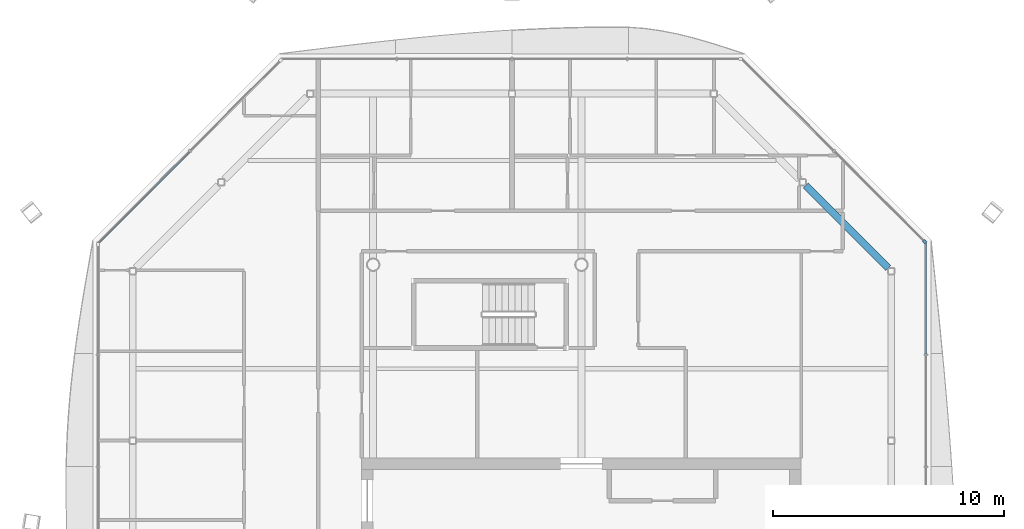
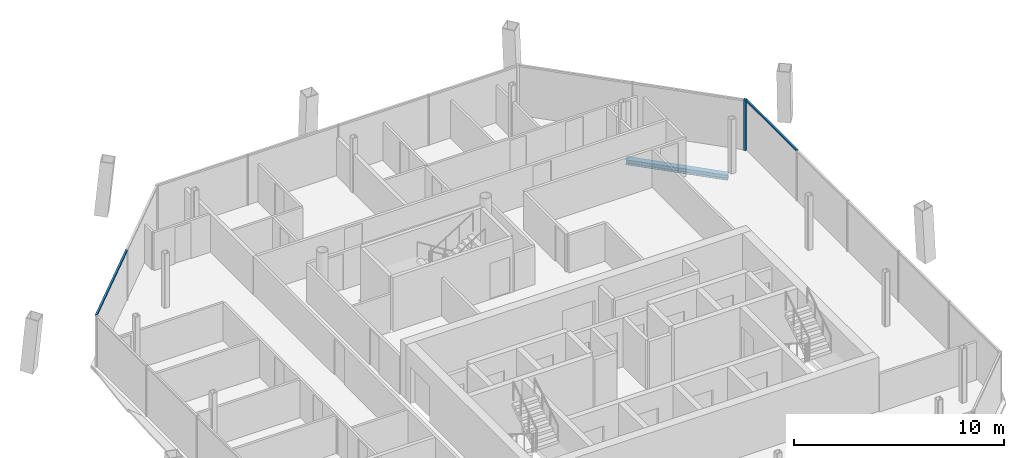
# One storey, part 7 of 15: 3 members, 1 beam, 3 elements without a shape of their own.
"""IFC4 building model written with IfcOpenShell, lengths in metres."""

from ifc_helpers import new_model, si_unit, direction, frame, origin, origin_2d, place, context, subcontext, project, spatial, rectangle, i_section, extrude, material, material_profile, profile_set, type_object, element, aggregate, save


model = new_model("IFC4")

# Units and contexts
model_context = context("Model", 3, precision=1e-05, world=origin(), true_north=direction((0.0, 1.0)))
body_context = subcontext(model_context, "Body", "Model", "MODEL_VIEW")
ifc_project = project(units=[si_unit("LENGTHUNIT", "METRE"), si_unit("AREAUNIT", "SQUARE_METRE"), si_unit("VOLUMEUNIT", "CUBIC_METRE"), si_unit("PLANEANGLEUNIT", "RADIAN"), si_unit("MASSUNIT", "GRAM", prefix="KILO")], contexts=[model_context])

# Site, building, storey
site_placement = place(None, origin())
site = spatial("IfcSite", under=ifc_project, at=site_placement, CompositionType="ELEMENT")
building_placement = place(site_placement, origin())
building = spatial("IfcBuilding", under=site, at=building_placement, Name="Tskaro Facet Tower", CompositionType="ELEMENT")
storey_placement = place(building_placement, frame((0.0, 0.0, 239.25)))
storey = spatial("IfcBuildingStorey", under=building, at=storey_placement, Name="L62", CompositionType="ELEMENT", Elevation=239.25)

# Curtain wall, member
ifc_material_1 = material(Name="Bronze anodised aluminium 6063-T6", Category="aluminium")
curtain_wall_type = type_object("IfcCurtainWallType", Name="Bronze residence curtain wall (FW3)", PredefinedType="NOTDEFINED", material=ifc_material_1)
curtain_wall_1_placement = place(storey_placement, origin())
curtain_wall_1 = element("IfcCurtainWall", 1, at=curtain_wall_1_placement, inside=storey, type_object=curtain_wall_type, Name="FW3 north-east facet L62", PredefinedType="NOTDEFINED")
ifc_material_profile_1 = material_profile(ifc_material_1, rectangle(XDim=0.139892578125, YDim=0.139892578125, at=origin_2d()), Name="Corner post 140x140")
ifc_profile_set_1 = profile_set([ifc_material_profile_1], Name="Bronze anodised aluminium 6063-T6")
member_type_1 = type_object("IfcMemberType", Name="FW3 bronze corner post 140x140", PredefinedType="MULLION", material=ifc_profile_set_1)
member_1_placement = place(storey_placement, frame((14.839599609375, 9.99755859375, 0.0), z_axis=(0.0, 0.0, 1.0), x_axis=(-0.707106781187, 0.707106781187, 0.0)))
member_1 = element("IfcMember", 2, at=member_1_placement, type_object=member_type_1, Name="FW3 north-east corner post", PredefinedType="MULLION", context=body_context, shape_type="SweptSolid", body=[
    extrude(rectangle(XDim=0.139892578125, YDim=0.139892578125, at=origin_2d()), origin(), (0.0, 0.0, 1.0), 2.949951171875),
])
aggregate(curtain_wall_1, [member_1])

curtain_wall_2_placement = place(storey_placement, origin())
curtain_wall_2 = element("IfcCurtainWall", 3, at=curtain_wall_2_placement, inside=storey, type_object=curtain_wall_type, Name="FW3 east facet L62", PredefinedType="NOTDEFINED")
ifc_material_profile_2 = material_profile(ifc_material_1, rectangle(XDim=0.10009765625, YDim=0.090087890625, at=origin_2d()), Name="Transom 100x90")
ifc_profile_set_2 = profile_set([ifc_material_profile_2], Name="Bronze anodised aluminium 6063-T6")
member_type_2 = type_object("IfcMemberType", Name="FW3 bronze transom 100x90", PredefinedType="USERDEFINED", material=ifc_profile_set_2)
member_2_placement = place(storey_placement, frame((14.888916015625, 5.1328125, 2.905029296875), z_axis=(0.0, 1.0, 0.0), x_axis=(-1.0, 0.0, 0.0)))
member_2 = element("IfcMember", 4, at=member_2_placement, type_object=member_type_2, Name="FW3 east transom 5.1", ObjectType="TRANSOM", PredefinedType="USERDEFINED", context=body_context, shape_type="SweptSolid", body=[
    extrude(rectangle(XDim=0.10009765625, YDim=0.090087890625, at=origin_2d()), origin(), (0.0, 0.0, 1.0), 4.815185546875),
])
aggregate(curtain_wall_2, [member_2])

curtain_wall_3_placement = place(storey_placement, origin())
curtain_wall_3 = element("IfcCurtainWall", 5, at=curtain_wall_3_placement, inside=storey, type_object=curtain_wall_type, Name="FW3 north-west facet L62", PredefinedType="NOTDEFINED")
member_3_placement = place(storey_placement, frame((-16.936279296875, 13.90087890625, 2.905029296875), z_axis=(-0.70708494376, -0.707128617938, 0.0), x_axis=(0.707128617938, -0.70708494376, 0.0)))
member_3 = element("IfcMember", 6, at=member_3_placement, type_object=member_type_2, Name="FW3 north-west transom 2.1", ObjectType="TRANSOM", PredefinedType="USERDEFINED", context=body_context, shape_type="SweptSolid", body=[
    extrude(rectangle(XDim=0.10009765625, YDim=0.090087890625, at=origin_2d()), origin(), (0.0, 0.0, 1.0), 5.590087890625),
])
aggregate(curtain_wall_3, [member_3])

# Beam
ifc_material_2 = material(Name="Steel S355J2", Category="steel")
ifc_material_profile_3 = material_profile(ifc_material_2, i_section(OverallWidth=0.300048828125, OverallDepth=0.300048828125, WebThickness=0.010986328125, FlangeThickness=0.01904296875, FilletRadius=0.027099609375, at=origin_2d()), Name="HE 300 B")
ifc_profile_set_3 = profile_set([ifc_material_profile_3], Name="Steel S355J2")
beam_type = type_object("IfcBeamType", Name="HE 300 B ring beam", PredefinedType="BEAM", material=ifc_profile_set_3)
beam_placement = place(storey_placement, frame((13.255126953125, 8.86083984375, -0.2900390625), z_axis=(-0.707106781187, 0.707106781187, 0.0), x_axis=(-0.707106781187, -0.707106781187, 0.0)))
element("IfcBeam", 7, at=beam_placement, inside=storey, type_object=beam_type, Name="HE 300 B EB8-5", PredefinedType="BEAM", context=body_context, shape_type="SweptSolid", body=[
    extrude(i_section(OverallWidth=0.300048828125, OverallDepth=0.300048828125, WebThickness=0.010986328125, FlangeThickness=0.01904296875, FilletRadius=0.027099609375, at=origin_2d()), origin(), (0.0, 0.0, 1.0), 5.036376953125),
])

save(model, "model.ifc")
